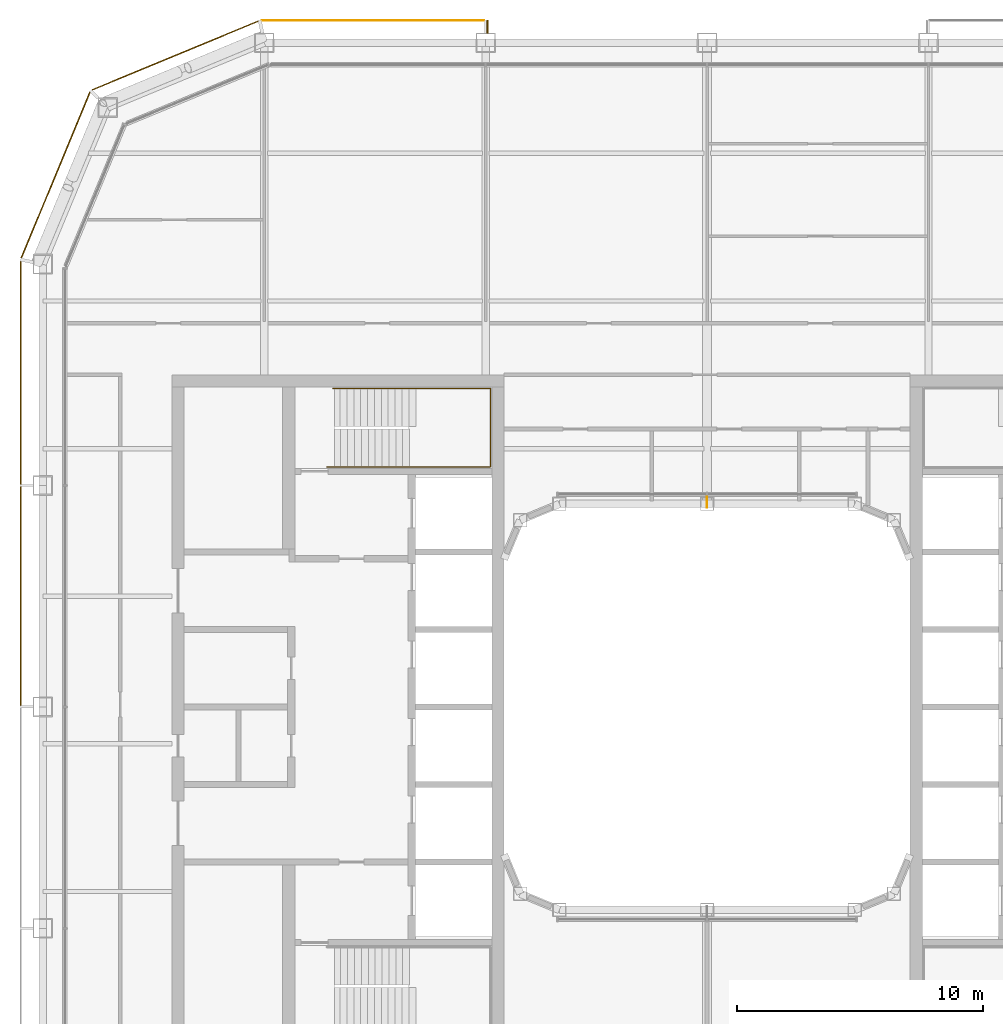
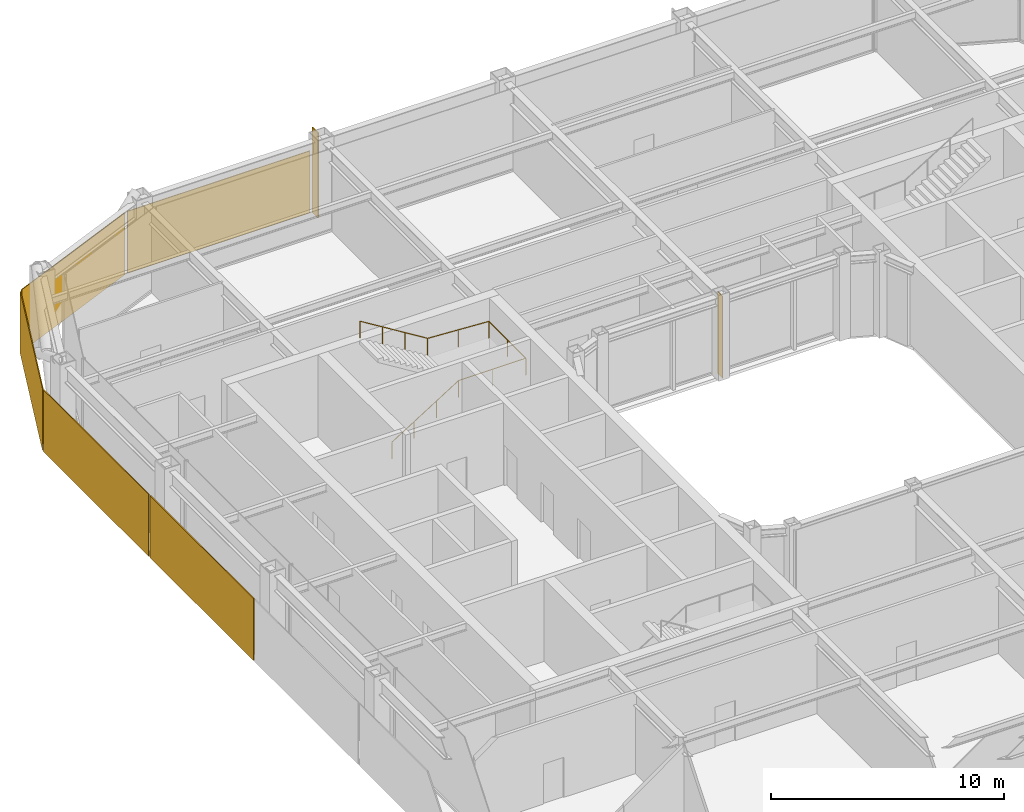
# One storey, part 21 of 23: 6 coverings, 1 railing, 1 shading device.
"""IFC4 building model written with IfcOpenShell, lengths in metres."""

import ifcopenshell
import ifcopenshell.guid

model = None  # the IFC model being written
_history = None  # IfcOwnerHistory: only IFC2X3 demands one
_inside = {}  # id of a spatial element -> (the spatial element, [elements in it])
_under = {}  # id of a project, library or spatial element -> (it, [spatial elements below it])
_declared = {}  # id of a project -> (the project, [libraries it declares])
_typed = {}  # id of a type object -> (the type object, [elements of that type])
_made_of = {}  # id of a material, layer set ... -> (it, [elements and type objects made of it])


def new_model(schema):
    """Start an empty IFC model of exactly this schema.

    Asked for "IFC4X3", IfcOpenShell would pick the latest addendum, in which some entities
    have other attributes; the version numbers below select the first issue.
    IFC2X3 requires an IfcOwnerHistory on every rooted entity: one is made here for all.
    """
    global model, _history
    if schema == "IFC4X3":
        model = ifcopenshell.file(schema_version=(4, 3, 0, 0))
    else:
        model = ifcopenshell.file(schema=schema)
    _inside.clear()
    _under.clear()
    _declared.clear()
    _typed.clear()
    _made_of.clear()
    _history = None
    if model.schema == "IFC2X3":
        org = make("IfcOrganization", Name="unknown")
        user = make(
            "IfcPersonAndOrganization",
            ThePerson=make("IfcPerson", FamilyName="unknown"),
            TheOrganization=org,
        )
        app = make(
            "IfcApplication",
            ApplicationDeveloper=org,
            Version="unknown",
            ApplicationFullName="unknown",
            ApplicationIdentifier="unknown",
        )
        _history = make(
            "IfcOwnerHistory",
            OwningUser=user,
            OwningApplication=app,
            ChangeAction="ADDED",
            CreationDate=0,
        )
    return model


def make(cls, **values):
    """One entity of the class cls with the attributes given. An attribute that is None is left unset."""
    return model.create_entity(
        cls, **{name: value for name, value in values.items() if value is not None}
    )


def rooted(cls, **values):
    """An entity with a GlobalId (a new one), such as an element, a storey or a relation."""
    return make(cls, GlobalId=ifcopenshell.guid.new(), OwnerHistory=_history, **values)


def si_unit(unit_type, name, prefix=None):
    """IfcSIUnit, for example si_unit("LENGTHUNIT", "METRE", prefix="MILLI")."""
    return make("IfcSIUnit", UnitType=unit_type, Prefix=prefix, Name=name)


def assignment(units):
    """IfcUnitAssignment: the units of a project."""
    return None if units is None else make("IfcUnitAssignment", Units=units)


def point(xyz):
    """IfcCartesianPoint."""
    return None if xyz is None else make("IfcCartesianPoint", Coordinates=xyz)


def direction(xyz):
    """IfcDirection."""
    return None if xyz is None else make("IfcDirection", DirectionRatios=xyz)


def frame(location, z_axis=None, x_axis=None):
    """IfcAxis2Placement3D, a coordinate frame: its origin and axes. An axis left out is left unset."""
    return make(
        "IfcAxis2Placement3D",
        Location=point(location),
        Axis=direction(z_axis),
        RefDirection=direction(x_axis),
    )


def frame_2d(location, x_axis=None):
    """IfcAxis2Placement2D, a coordinate frame in the plane: its origin and x axis."""
    return make(
        "IfcAxis2Placement2D", Location=point(location), RefDirection=direction(x_axis)
    )


def origin():
    """The frame at (0, 0, 0) with its axes left unset."""
    return frame((0.0, 0.0, 0.0))


def origin_2d():
    """The frame at (0, 0) in the plane with its x axis left unset."""
    return frame_2d((0.0, 0.0))


def place(relative_to, where):
    """IfcLocalPlacement: puts the frame where relative to a parent placement (None: the world)."""
    return make(
        "IfcLocalPlacement", PlacementRelTo=relative_to, RelativePlacement=where
    )


def context(
    kind, dimensions, precision=None, world=None, true_north=None, identifier=None
):
    """IfcGeometricRepresentationContext, for example the 3D "Model" context."""
    return make(
        "IfcGeometricRepresentationContext",
        ContextIdentifier=identifier,
        ContextType=kind,
        CoordinateSpaceDimension=dimensions,
        Precision=precision,
        WorldCoordinateSystem=world,
        TrueNorth=true_north,
    )


def subcontext(parent, identifier, kind, view, scale=None):
    """IfcGeometricRepresentationSubContext, for example "Body" below "Model"."""
    return make(
        "IfcGeometricRepresentationSubContext",
        ContextIdentifier=identifier,
        ContextType=kind,
        ParentContext=parent,
        TargetScale=scale,
        TargetView=view,
    )


def project(units=None, contexts=None):
    """IfcProject with its units and contexts."""
    return rooted(
        "IfcProject",
        Name="project",
        RepresentationContexts=contexts,
        UnitsInContext=assignment(units),
    )


def spatial(cls, under=None, at=None, **own):
    """A site, building, storey or space (cls), placed at a placement, below another one or the project."""
    s = rooted(cls, ObjectPlacement=at, **own)
    if under is not None:
        _under.setdefault(under.id(), (under, []))[1].append(s)
    return s


def profile(cls, at=None, kind="AREA", **sizes):
    """A parametric profile (cls). Its sizes go by their IFC names, for example OverallWidth=200.0."""
    return make(cls, ProfileType=kind, Position=at, **sizes)


def rectangle(**sizes):
    """IfcRectangleProfileDef."""
    return profile("IfcRectangleProfileDef", **sizes)


def circle(**sizes):
    """IfcCircleProfileDef."""
    return profile("IfcCircleProfileDef", **sizes)


def extrude(swept, where, along, depth):
    """IfcExtrudedAreaSolid: the profile swept, set in the frame where, extruded along a direction by depth."""
    return make(
        "IfcExtrudedAreaSolid",
        SweptArea=swept,
        Position=where,
        ExtrudedDirection=direction(along),
        Depth=depth,
    )


def shape(context_of_items, identifier, shape_type, items):
    """IfcShapeRepresentation: the items that make up one representation, for example the "Body"."""
    return make(
        "IfcShapeRepresentation",
        ContextOfItems=context_of_items,
        RepresentationIdentifier=identifier,
        RepresentationType=shape_type,
        Items=items,
    )


def material(Name=None, Category=None):
    """IfcMaterial."""
    return make("IfcMaterial", Name=Name, Category=Category)


def layer(
    of_material, thickness, ventilated=None, Name=None, Category=None, Priority=None
):
    """IfcMaterialLayer: one layer of a wall or slab, of a material (None: an air gap)."""
    return make(
        "IfcMaterialLayer",
        Material=of_material,
        LayerThickness=thickness,
        IsVentilated=ventilated,
        Name=Name,
        Category=Category,
        Priority=Priority,
    )


def layer_set(layers, Name=None):
    """IfcMaterialLayerSet."""
    return make("IfcMaterialLayerSet", MaterialLayers=layers, LayerSetName=Name)


def made_of(thing, what):
    """Note that an element or type object is made of a material, layer set ...; save() writes the relation."""
    if what is not None:
        _made_of.setdefault(what.id(), (what, []))[1].append(thing)
    return thing


def type_object(cls, material=None, **own):
    """A type object (cls), such as IfcWallType, which elements share."""
    return made_of(rooted(cls, **own), material)


def element(
    cls,
    number,
    at=None,
    inside=None,
    cuts=None,
    type_object=None,
    material=None,
    context=None,
    identifier="Body",
    shape_type=None,
    held_by="IfcProductDefinitionShape",
    body=None,
    shapes=None,
    **own,
):
    """One element of the class cls, such as IfcWall. Its Tag is "e" and its number.

    at: its placement. inside: the storey or other place that contains it. cuts: it is an
    opening in that element (IfcRelVoidsElement). A single representation is given by context,
    identifier, shape_type and body (its items); several are given by shapes. held_by: the class
    of the entity that holds the representations. save() writes the other relations.
    """
    e = rooted(cls, Tag="e%d" % number, ObjectPlacement=at, **own)
    if body is not None:
        shapes = [shape(context, identifier, shape_type, body)]
    if shapes is not None:
        e.Representation = make(held_by, Representations=shapes)
    if inside is not None:
        _inside.setdefault(inside.id(), (inside, []))[1].append(e)
    if cuts is not None:
        rooted(
            "IfcRelVoidsElement", RelatingBuildingElement=cuts, RelatedOpeningElement=e
        )
    if type_object is not None:
        _typed.setdefault(type_object.id(), (type_object, []))[1].append(e)
    return made_of(e, material)


def aggregate(whole, parts):
    """IfcRelAggregates: a whole, such as a stair, and the parts it consists of."""
    return rooted("IfcRelAggregates", RelatingObject=whole, RelatedObjects=parts)


def save(model, path):
    """Write the relations noted so far, then the file.

    IfcRelAggregates (storeys below a building ...), IfcRelContainedInSpatialStructure (elements
    in a storey), IfcRelDefinesByType, IfcRelAssociatesMaterial and IfcRelDeclares: one each for
    every whole, place, type object, material and project.
    """
    for whole, parts in _under.values():
        aggregate(whole, parts)
    for where, things in _inside.values():
        rooted(
            "IfcRelContainedInSpatialStructure",
            RelatedElements=things,
            RelatingStructure=where,
        )
    for kind, things in _typed.values():
        rooted("IfcRelDefinesByType", RelatedObjects=things, RelatingType=kind)
    for what, things in _made_of.values():
        rooted("IfcRelAssociatesMaterial", RelatedObjects=things, RelatingMaterial=what)
    for by, libraries in _declared.values():
        rooted("IfcRelDeclares", RelatingContext=by, RelatedDefinitions=libraries)
    model.write(path)


model = new_model("IFC4")

# Units and contexts
model_context = context("Model", 3, precision=1e-05, world=origin(), true_north=direction((0.0, 1.0)))
body_context = subcontext(model_context, "Body", "Model", "MODEL_VIEW")
ifc_project = project(units=[si_unit("LENGTHUNIT", "METRE"), si_unit("AREAUNIT", "SQUARE_METRE"), si_unit("VOLUMEUNIT", "CUBIC_METRE"), si_unit("PLANEANGLEUNIT", "RADIAN"), si_unit("MASSUNIT", "GRAM", prefix="KILO")], contexts=[model_context])

# Site, building, storey
site_placement = place(None, origin())
site = spatial("IfcSite", under=ifc_project, at=site_placement, CompositionType="ELEMENT")
building_placement = place(site_placement, origin())
building = spatial("IfcBuilding", under=site, at=building_placement, Name="Siwar Civic Tower", CompositionType="ELEMENT")
storey_placement = place(building_placement, frame((0.0, 0.0, 273.699951171875)))
storey = spatial("IfcBuildingStorey", under=building, at=storey_placement, Name="L59", CompositionType="ELEMENT", Elevation=273.699951171875)

# Railing
ifc_material_1 = material(Name="Stainless steel", Category="steel")
railing_type = type_object("IfcRailingType", Name="CORE-STAIR-HANDRAIL", PredefinedType="HANDRAIL", material=ifc_material_1)
railing_placement = place(storey_placement, frame((-15.449951171875, 9.758056640625, 0.173095703125)))
element("IfcRailing", 1, at=railing_placement, inside=storey, type_object=railing_type, Name="Stair handrail ST1", PredefinedType="HANDRAIL", context=body_context, shape_type="SweptSolid", body=[
    extrude(circle(Radius=0.02001953125, at=origin_2d()), frame((0.0, 0.0, 0.8798828125), z_axis=(0.847063342986, 0.0, 0.531491950051), x_axis=(0.0, 1.0, 0.0)), (0.0, 0.0, 1.0), 3.90771484375),
    extrude(circle(Radius=0.02001953125, at=origin_2d()), frame((3.31005859375, 0.0, 2.956787109375), z_axis=(1.0, 0.0, 0.0), x_axis=(0.0, 1.0, 0.0)), (0.0, 0.0, 1.0), 3.331787109375),
    extrude(circle(Radius=0.02001953125, at=origin_2d()), frame((6.641845703125, 0.0, 2.956787109375), z_axis=(0.0, 1.0, 0.0), x_axis=(-1.0, 0.0, 0.0)), (0.0, 0.0, 1.0), 3.183837890625),
    extrude(circle(Radius=0.02001953125, at=origin_2d()), frame((6.641845703125, 3.183837890625, 2.956787109375), z_axis=(-0.99837434197, 0.0, 0.056997134106), x_axis=(0.0, -1.0, 0.0)), (0.0, 0.0, 1.0), 3.036865234375),
    extrude(circle(Radius=0.02001953125, at=origin_2d()), frame((3.60986328125, 3.183837890625, 3.1298828125), z_axis=(-0.850606129759, 0.0, 0.525803396734), x_axis=(0.0, -1.0, 0.0)), (0.0, 0.0, 1.0), 3.949951171875),
    extrude(circle(Radius=0.02001953125, at=origin_2d()), origin(), (0.0, 0.0, 1.0), 0.85986328125),
    extrude(circle(Radius=0.02001953125, at=origin_2d()), frame((1.103271484375, 0.0, 0.6923828125)), (0.0, 0.0, 1.0), 0.85986328125),
    extrude(circle(Radius=0.02001953125, at=origin_2d()), frame((2.206787109375, 0.0, 1.384521484375)), (0.0, 0.0, 1.0), 0.85986328125),
    extrude(circle(Radius=0.02001953125, at=origin_2d()), frame((3.31005859375, 0.0, 2.076904296875)), (0.0, 0.0, 1.0), 0.85986328125),
    extrude(circle(Radius=0.02001953125, at=origin_2d()), frame((4.97607421875, 0.0, 2.076904296875)), (0.0, 0.0, 1.0), 0.85986328125),
    extrude(circle(Radius=0.02001953125, at=origin_2d()), frame((6.641845703125, 0.0, 2.076904296875)), (0.0, 0.0, 1.0), 0.85986328125),
    extrude(circle(Radius=0.02001953125, at=origin_2d()), frame((6.641845703125, 1.591796875, 2.076904296875)), (0.0, 0.0, 1.0), 0.85986328125),
    extrude(circle(Radius=0.02001953125, at=origin_2d()), frame((6.641845703125, 3.183837890625, 2.076904296875)), (0.0, 0.0, 1.0), 0.85986328125),
    extrude(circle(Radius=0.02001953125, at=origin_2d()), frame((5.1259765625, 3.183837890625, 2.16357421875)), (0.0, 0.0, 1.0), 0.85986328125),
    extrude(circle(Radius=0.02001953125, at=origin_2d()), frame((3.60986328125, 3.183837890625, 2.25)), (0.0, 0.0, 1.0), 0.85986328125),
    extrude(circle(Radius=0.02001953125, at=origin_2d()), frame((2.489990234375, 3.183837890625, 2.9423828125)), (0.0, 0.0, 1.0), 0.85986328125),
    extrude(circle(Radius=0.02001953125, at=origin_2d()), frame((1.369873046875, 3.183837890625, 3.634521484375)), (0.0, 0.0, 1.0), 0.85986328125),
    extrude(circle(Radius=0.02001953125, at=origin_2d()), frame((0.25, 3.183837890625, 4.326904296875)), (0.0, 0.0, 1.0), 0.85986328125),
])

# Shading device
ifc_material_2 = material(Name="Aluminium 6063-T6", Category="aluminium")
ifc_layer_1 = layer(ifc_material_2, 0.02001953125)
ifc_layer_set_1 = layer_set([ifc_layer_1], Name="Aluminium 6063-T6")
shading_device_type = type_object("IfcShadingDeviceType", Name="ENV-FIN", PredefinedType="JALOUSIE", material=ifc_layer_set_1)
shading_device_placement = place(storey_placement, frame((0.0, 8.320068359375, 0.0), z_axis=(0.0, 0.0, 1.0), x_axis=(-1.0, 0.0, 0.0)))
element("IfcShadingDevice", 2, at=shading_device_placement, inside=storey, type_object=shading_device_type, Name="SUNSHADE fin WN 1", PredefinedType="JALOUSIE", context=body_context, shape_type="SweptSolid", body=[
    extrude(rectangle(XDim=0.02001953125, YDim=0.449951171875, at=origin_2d()), origin(), (0.0, 0.0, 1.0), 4.300048828125),
])

# Coverings
ifc_material_3 = material(Name="Perforated aluminium cassette, pale metal", Category="aluminium")
ifc_layer_2 = layer(ifc_material_3, 0.0400390625)
ifc_layer_set_2 = layer_set([ifc_layer_2], Name="Perforated aluminium cassette, pale metal")
covering_type_1 = type_object("IfcCoveringType", Name="ENV-OUTER SKIN OS-1", PredefinedType="CLADDING", material=ifc_layer_set_2)
covering_1_placement = place(storey_placement, frame((-13.57958984375, 27.89990234375, -0.14990234375), z_axis=(0.0, 0.0, 1.0), x_axis=(-1.0, 0.0, 0.0)))
element("IfcCovering", 3, at=covering_1_placement, inside=storey, type_object=covering_type_1, Name="OUTER SKIN OS-1 N 4", PredefinedType="CLADDING", context=body_context, shape_type="SweptSolid", body=[
    extrude(rectangle(XDim=9.05908203125, YDim=0.0400390625, at=origin_2d()), origin(), (0.0, 0.0, 1.0), 3.25),
])
covering_2_placement = place(storey_placement, frame((-21.615966796875, 26.476318359375, -0.14990234375), z_axis=(0.0, 0.0, 1.0), x_axis=(-0.923879532511, -0.382683432365, 0.0)))
element("IfcCovering", 4, at=covering_2_placement, inside=storey, type_object=covering_type_1, Name="OUTER SKIN OS-1 NW1 1", PredefinedType="CLADDING", context=body_context, shape_type="SweptSolid", body=[
    extrude(rectangle(XDim=7.300048828125, YDim=0.0400390625, at=origin_2d()), origin(), (0.0, 0.0, 1.0), 3.25),
])
ifc_material_4 = material(Name="Perforated aluminium cassette, pale metal", Category="aluminium")
ifc_layer_3 = layer(ifc_material_4, 0.044921875)
ifc_layer_set_3 = layer_set([ifc_layer_3], Name="Perforated aluminium cassette, pale metal")
covering_type_2 = type_object("IfcCoveringType", Name="ENV-OUTER SKIN OS-2", PredefinedType="CLADDING", material=ifc_layer_set_3)
covering_3_placement = place(storey_placement, frame((-26.476318359375, 21.615966796875, -0.14990234375), z_axis=(0.0, 0.0, 1.0), x_axis=(-0.382683432365, -0.923879532511, 0.0)))
element("IfcCovering", 5, at=covering_3_placement, inside=storey, type_object=covering_type_2, Name="OUTER SKIN OS-2 NW2 1", PredefinedType="CLADDING", context=body_context, shape_type="SweptSolid", body=[
    extrude(rectangle(XDim=7.300048828125, YDim=0.044921875, at=origin_2d()), origin(), (0.0, 0.0, 1.0), 3.25),
])
ifc_material_5 = material(Name="Perforated aluminium cassette, pale metal", Category="aluminium")
ifc_layer_4 = layer(ifc_material_5, 0.050048828125)
ifc_layer_set_4 = layer_set([ifc_layer_4], Name="Perforated aluminium cassette, pale metal")
covering_type_3 = type_object("IfcCoveringType", Name="ENV-OUTER SKIN OS-3", PredefinedType="CLADDING", material=ifc_layer_set_4)
covering_4_placement = place(storey_placement, frame((-27.89990234375, 13.57958984375, -0.14990234375), z_axis=(0.0, 0.0, 1.0), x_axis=(0.0, -1.0, 0.0)))
element("IfcCovering", 6, at=covering_4_placement, inside=storey, type_object=covering_type_3, Name="OUTER SKIN OS-3 W 1", PredefinedType="CLADDING", context=body_context, shape_type="SweptSolid", body=[
    extrude(rectangle(XDim=9.05908203125, YDim=0.050048828125, at=origin_2d()), origin(), (0.0, 0.0, 1.0), 3.25),
])
covering_5_placement = place(storey_placement, frame((-27.89990234375, 4.5, -0.14990234375), z_axis=(0.0, 0.0, 1.0), x_axis=(0.0, -1.0, 0.0)))
element("IfcCovering", 7, at=covering_5_placement, inside=storey, type_object=covering_type_3, Name="OUTER SKIN OS-3 W 2", PredefinedType="CLADDING", context=body_context, shape_type="SweptSolid", body=[
    extrude(rectangle(XDim=8.89990234375, YDim=0.050048828125, at=origin_2d()), origin(), (0.0, 0.0, 1.0), 3.25),
])
ifc_material_6 = material(Name="Perforated aluminium cassette, pale metal", Category="aluminium")
ifc_layer_5 = layer(ifc_material_6, 0.050048828125)
ifc_layer_set_5 = layer_set([ifc_layer_5], Name="Perforated aluminium cassette, pale metal")
covering_type_4 = type_object("IfcCoveringType", Name="ENV-PORTAL FRAME", PredefinedType="CLADDING", material=ifc_layer_set_5)
covering_6_placement = place(storey_placement, frame((-8.925048828125, 27.639892578125, -0.14990234375), z_axis=(0.0, 0.0, 1.0), x_axis=(1.0, 0.0, 0.0)))
element("IfcCovering", 8, at=covering_6_placement, inside=storey, type_object=covering_type_4, Name="PORTAL FRAME return plate N L59", PredefinedType="CLADDING", context=body_context, shape_type="SweptSolid", body=[
    extrude(rectangle(XDim=0.050048828125, YDim=0.52001953125, at=origin_2d()), origin(), (0.0, 0.0, 1.0), 4.449951171875),
])

save(model, "model.ifc")
